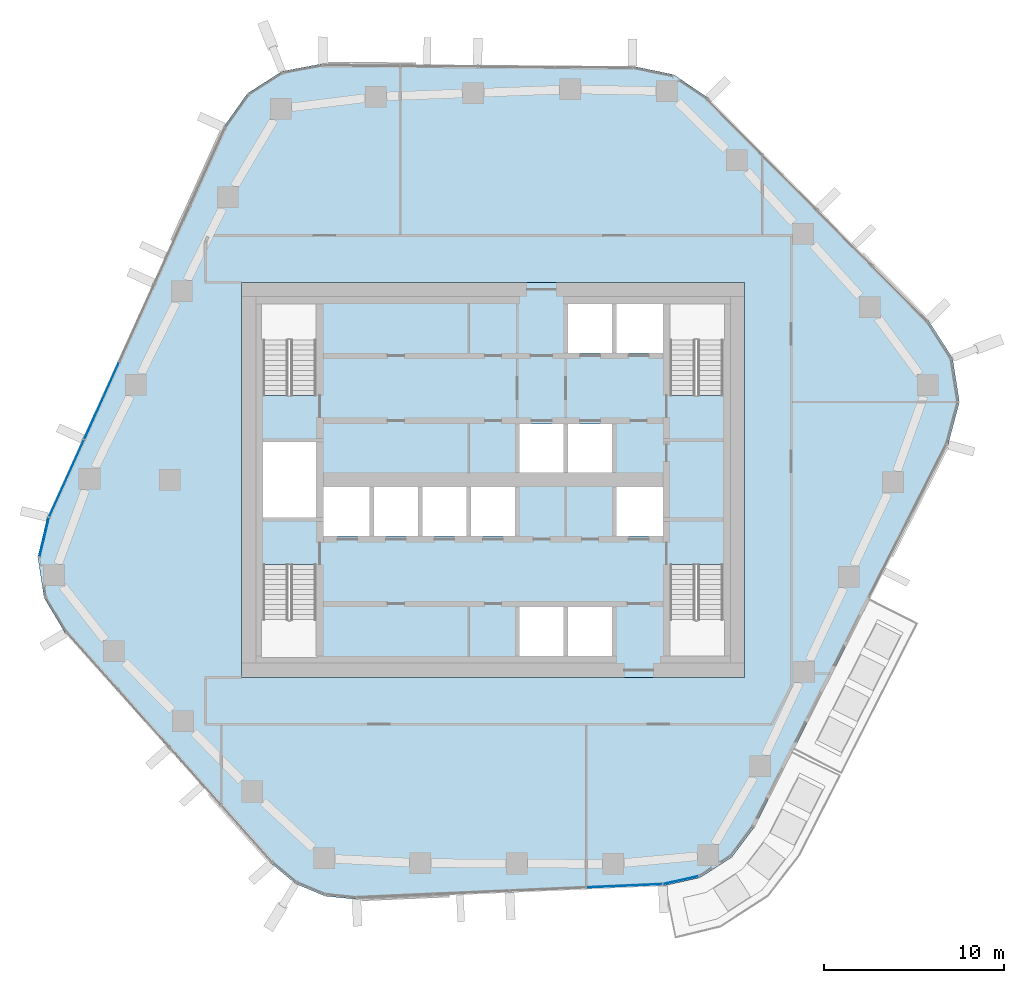
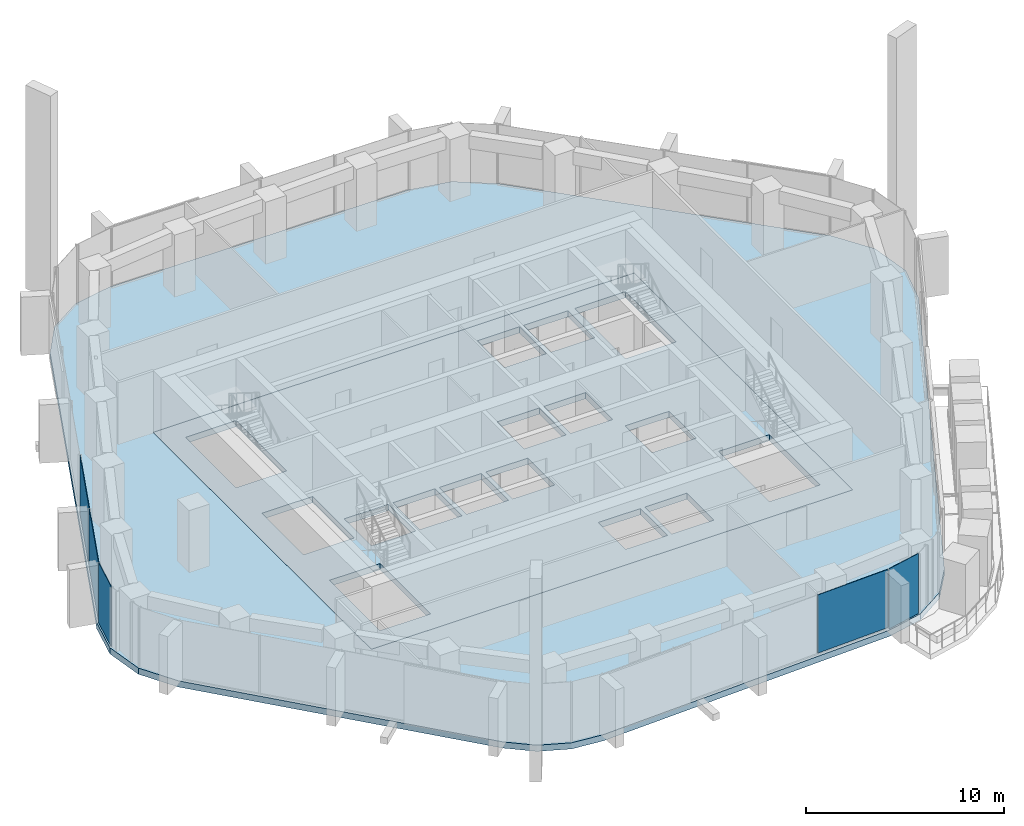
# One storey, part 8 of 18: 5 plates, 2 slabs, 4 elements without a shape of their own.
"""IFC4 building model written with IfcOpenShell, lengths in metres."""

from ifc_helpers import new_model, si_unit, direction, frame, origin, origin_2d, place, context, subcontext, project, spatial, polyline, rectangle, outline, extrude, material, layer, layer_set, type_object, element, aggregate, save


model = new_model("IFC4")

# Units and contexts
model_context = context("Model", 3, precision=1e-05, world=origin(), true_north=direction((0.0, 1.0)))
body_context = subcontext(model_context, "Body", "Model", "MODEL_VIEW")
ifc_project = project(units=[si_unit("LENGTHUNIT", "METRE"), si_unit("AREAUNIT", "SQUARE_METRE"), si_unit("VOLUMEUNIT", "CUBIC_METRE"), si_unit("PLANEANGLEUNIT", "RADIAN"), si_unit("MASSUNIT", "GRAM", prefix="KILO")], contexts=[model_context])

# Site, building, storey
site_placement = place(None, origin())
site = spatial("IfcSite", under=ifc_project, at=site_placement, CompositionType="ELEMENT")
building_placement = place(site_placement, origin())
building = spatial("IfcBuilding", under=site, at=building_placement, Name="Dongbaek Canopy Tower", CompositionType="ELEMENT")
storey_placement = place(building_placement, frame((0.0, 0.0, 171.199951171875)))
storey = spatial("IfcBuildingStorey", under=building, at=storey_placement, Name="L37", CompositionType="ELEMENT", Elevation=171.199951171875)

# Curtain wall, plates
ifc_material_1 = material(Name="Aluminium 6063-T6 pale anodised", Category="aluminium")
ifc_layer_1 = layer(ifc_material_1, 0.199951171875)
ifc_layer_set_1 = layer_set([ifc_layer_1], Name="CW-1 unitised tower curtain wall")
curtain_wall_type = type_object("IfcCurtainWallType", Name="CW-1 unitised tower curtain wall", PredefinedType="NOTDEFINED", material=ifc_layer_set_1)
curtain_wall_1_placement = place(storey_placement, origin())
curtain_wall_1 = element("IfcCurtainWall", 1, at=curtain_wall_1_placement, inside=storey, type_object=curtain_wall_type, Name="CW-1 curtain wall F2.1", PredefinedType="NOTDEFINED")
ifc_material_2 = material(Name="Clear laminated glass", Category="glass")
ifc_layer_2 = layer(ifc_material_2, 0.028076171875)
ifc_layer_set_2 = layer_set([ifc_layer_2], Name="CW-1 glazed panel 28")
plate_type = type_object("IfcPlateType", Name="CW-1 glazed panel 28", PredefinedType="CURTAIN_PANEL", material=ifc_layer_set_2)
plate_1_placement = place(storey_placement, frame((-21.775390625, 4.4111328125, 0.1201171875), z_axis=(0.0, 0.0, 1.0), x_axis=(-0.412080199763, -0.911147578037, 0.0)))
plate_1 = element("IfcPlate", 2, at=plate_1_placement, type_object=plate_type, Name="CW-1 panel F2.1.4.1", PredefinedType="CURTAIN_PANEL", context=body_context, shape_type="SweptSolid", body=[
    extrude(rectangle(XDim=4.677001953125, YDim=0.028076171875, at=origin_2d()), origin(), (0.0, 0.0, 1.0), 3.580078125),
])
plate_2_placement = place(storey_placement, frame((-23.735107421875, 0.077392578125, 0.1201171875), z_axis=(0.0, 0.0, 1.0), x_axis=(-0.412080199763, -0.911147578037, 0.0)))
plate_2 = element("IfcPlate", 3, at=plate_2_placement, type_object=plate_type, Name="CW-1 panel F2.1.5.1", PredefinedType="CURTAIN_PANEL", context=body_context, shape_type="SweptSolid", body=[
    extrude(rectangle(XDim=4.667236328125, YDim=0.028076171875, at=origin_2d()), origin(), (0.0, 0.0, 1.0), 3.580078125),
])
aggregate(curtain_wall_1, [plate_1, plate_2])

# Curtain wall, plate
curtain_wall_2_placement = place(storey_placement, origin())
curtain_wall_2 = element("IfcCurtainWall", 4, at=curtain_wall_2_placement, inside=storey, type_object=curtain_wall_type, Name="CW-1 curtain wall K3.1a", PredefinedType="NOTDEFINED")
plate_3_placement = place(storey_placement, frame((-24.97509765625, -3.189697265625, 0.0), z_axis=(0.0, 0.0, 1.0), x_axis=(-0.230205637646, -0.973142006285, 0.0)))
plate_3 = element("IfcPlate", 5, at=plate_3_placement, type_object=plate_type, Name="CW-1 panel K3.1a.1.1", PredefinedType="CURTAIN_PANEL", context=body_context, shape_type="SweptSolid", body=[
    extrude(rectangle(XDim=2.181884765625, YDim=0.028076171875, at=origin_2d()), origin(), (0.0, 0.0, 1.0), 3.699951171875),
])
aggregate(curtain_wall_2, [plate_3])

curtain_wall_3_placement = place(storey_placement, origin())
curtain_wall_3 = element("IfcCurtainWall", 6, at=curtain_wall_3_placement, inside=storey, type_object=curtain_wall_type, Name="CW-1 curtain wall F4.1", PredefinedType="NOTDEFINED")
plate_4_placement = place(storey_placement, frame((7.311279296875, -22.589599609375, 0.1201171875), z_axis=(0.0, 0.0, 1.0), x_axis=(0.999047313196, 0.043640187851, 0.0)))
plate_4 = element("IfcPlate", 7, at=plate_4_placement, type_object=plate_type, Name="CW-1 panel F4.1.4.1", PredefinedType="CURTAIN_PANEL", context=body_context, shape_type="SweptSolid", body=[
    extrude(rectangle(XDim=4.1767578125, YDim=0.028076171875, at=origin_2d()), origin(), (0.0, 0.0, 1.0), 3.580078125),
])
aggregate(curtain_wall_3, [plate_4])

curtain_wall_4_placement = place(storey_placement, origin())
curtain_wall_4 = element("IfcCurtainWall", 8, at=curtain_wall_4_placement, inside=storey, type_object=curtain_wall_type, Name="CW-1 curtain wall K5.1a", PredefinedType="NOTDEFINED")
plate_5_placement = place(storey_placement, frame((10.453857421875, -22.269775390625, 0.0), z_axis=(0.0, 0.0, 1.0), x_axis=(0.975895634578, 0.218237738286, 0.0)))
plate_5 = element("IfcPlate", 9, at=plate_5_placement, type_object=plate_type, Name="CW-1 panel K5.1a.1.1", PredefinedType="CURTAIN_PANEL", context=body_context, shape_type="SweptSolid", body=[
    extrude(rectangle(XDim=1.99462890625, YDim=0.028076171875, at=origin_2d()), origin(), (0.0, 0.0, 1.0), 3.699951171875),
])
aggregate(curtain_wall_4, [plate_5])

# Slabs
ifc_material_3 = material(Name="Concrete C40/50", Category="concrete")
ifc_layer_3 = layer(ifc_material_3, 0.3798828125)
ifc_layer_set_3 = layer_set([ifc_layer_3], Name="Core floor slab 380 Concrete C40/50")
slab_type_1 = type_object("IfcSlabType", Name="Core floor slab 380 Concrete C40/50", PredefinedType="FLOOR", material=ifc_layer_set_3)
slab_1_placement = place(storey_placement, frame((0.0, 0.0, -0.3798828125)))
element("IfcSlab", 10, at=slab_1_placement, inside=storey, type_object=slab_type_1, Name="Core floor slab L37", PredefinedType="FLOOR", context=body_context, shape_type="SweptSolid", body=[
    extrude(outline(polyline([(14.0, -11.0), (14.0, 11.0), (-14.0, 11.0), (-14.0, -11.0), (14.0, -11.0)]), holes=[polyline([(-12.800048828125, 2.10009765625), (-9.85009765625, 2.10009765625), (-9.85009765625, -2.10009765625), (-12.800048828125, -2.10009765625), (-12.800048828125, 2.10009765625)]), polyline([(6.625, 9.800048828125), (6.625, 7.074951171875), (4.175048828125, 7.074951171875), (4.175048828125, 9.800048828125), (6.625, 9.800048828125)]), polyline([(9.449951171875, 7.074951171875), (6.875, 7.074951171875), (6.875, 9.800048828125), (9.449951171875, 9.800048828125), (9.449951171875, 7.074951171875)]), polyline([(1.47509765625, 0.39990234375), (1.47509765625, 3.125), (3.925048828125, 3.125), (3.925048828125, 0.39990234375), (1.47509765625, 0.39990234375)]), polyline([(4.175048828125, 0.39990234375), (4.175048828125, 3.125), (6.625, 3.125), (6.625, 0.39990234375), (4.175048828125, 0.39990234375)]), polyline([(-9.449951171875, -0.39990234375), (-6.875, -0.39990234375), (-6.875, -3.125), (-9.449951171875, -3.125), (-9.449951171875, -0.39990234375)]), polyline([(-6.625, -3.125), (-6.625, -0.39990234375), (-4.175048828125, -0.39990234375), (-4.175048828125, -3.125), (-6.625, -3.125)]), polyline([(-3.925048828125, -3.125), (-3.925048828125, -0.39990234375), (-1.47509765625, -0.39990234375), (-1.47509765625, -3.125), (-3.925048828125, -3.125)]), polyline([(-1.22509765625, -3.125), (-1.22509765625, -0.39990234375), (1.22509765625, -0.39990234375), (1.22509765625, -3.125), (-1.22509765625, -3.125)]), polyline([(9.449951171875, -3.125), (6.875, -3.125), (6.875, -0.39990234375), (9.449951171875, -0.39990234375), (9.449951171875, -3.125)]), polyline([(1.47509765625, -9.800048828125), (1.47509765625, -7.074951171875), (3.925048828125, -7.074951171875), (3.925048828125, -9.800048828125), (1.47509765625, -9.800048828125)]), polyline([(4.175048828125, -9.800048828125), (4.175048828125, -7.074951171875), (6.625, -7.074951171875), (6.625, -9.800048828125), (4.175048828125, -9.800048828125)]), polyline([(12.800048828125, 4.70068359375), (12.800048828125, 9.800048828125), (9.85009765625, 9.800048828125), (9.85009765625, 4.70068359375), (12.800048828125, 4.70068359375)]), polyline([(-9.85009765625, 4.70068359375), (-9.85009765625, 9.800048828125), (-12.800048828125, 9.800048828125), (-12.800048828125, 4.70068359375), (-9.85009765625, 4.70068359375)]), polyline([(9.85009765625, -4.70068359375), (9.85009765625, -9.800048828125), (12.800048828125, -9.800048828125), (12.800048828125, -4.70068359375), (9.85009765625, -4.70068359375)]), polyline([(-12.800048828125, -4.70068359375), (-12.800048828125, -9.800048828125), (-9.85009765625, -9.800048828125), (-9.85009765625, -4.70068359375), (-12.800048828125, -4.70068359375)])]), origin(), (0.0, 0.0, 1.0), 0.3798828125),
])
ifc_material_4 = material(Name="Concrete C40", Category="concrete")
ifc_layer_4 = layer(ifc_material_4, 0.3798828125)
ifc_layer_set_4 = layer_set([ifc_layer_4], Name="RC FLAT PLATE 380 Concrete C40")
slab_type_2 = type_object("IfcSlabType", Name="RC FLAT PLATE 380 Concrete C40", PredefinedType="FLOOR", material=ifc_layer_set_4)
slab_2_placement = place(storey_placement, frame((0.0, 0.0, -0.3798828125)))
element("IfcSlab", 11, at=slab_2_placement, inside=storey, type_object=slab_type_2, Name="SLAB:L37", PredefinedType="FLOOR", context=body_context, shape_type="SweptSolid", body=[
    extrude(outline(polyline([(14.543212890625, -19.31396484375), (13.27685546875, -20.995849609375), (11.50732421875, -22.13671875), (9.452880859375, -22.59619140625), (-7.60888671875, -23.34130859375), (-9.362060546875, -23.158935546875), (-10.986572265625, -22.474609375), (-12.342041015625, -21.34814453125), (-23.813720703125, -8.5283203125), (-24.98876953125, -6.556640625), (-25.337646484375, -4.2880859375), (-24.809326171875, -2.0546875), (-14.999755859375, 19.635009765625), (-13.672607421875, 21.505859375), (-11.740478515625, 22.74169921875), (-9.485595703125, 23.16259765625), (7.7666015625, 23.027099609375), (10.052734375, 22.55517578125), (11.985595703125, 21.24658203125), (24.226318359375, 8.8701171875), (25.568115234375, 6.78466796875), (25.9521484375, 4.334716796875), (25.3125, 1.938720703125), (14.543212890625, -19.31396484375)]), holes=[polyline([(14.0, 11.0), (-14.0, 11.0), (-14.0, -11.0), (14.0, -11.0), (14.0, 11.0)])]), origin(), (0.0, 0.0, 1.0), 0.3798828125),
])

save(model, "model.ifc")
